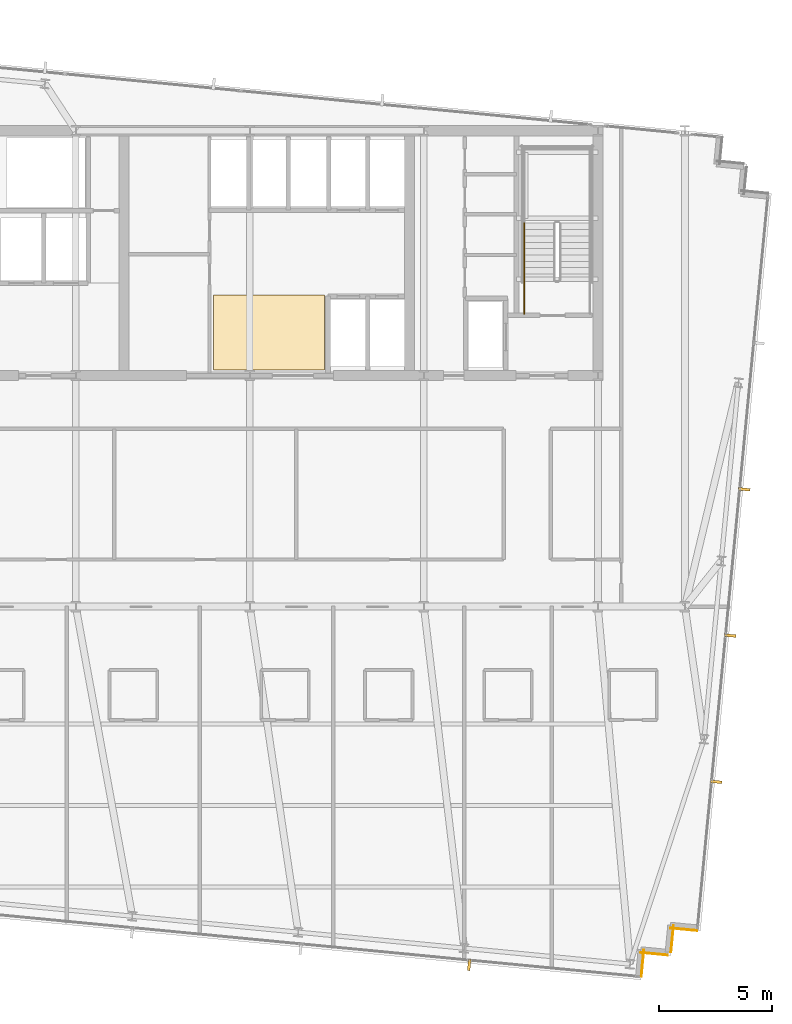
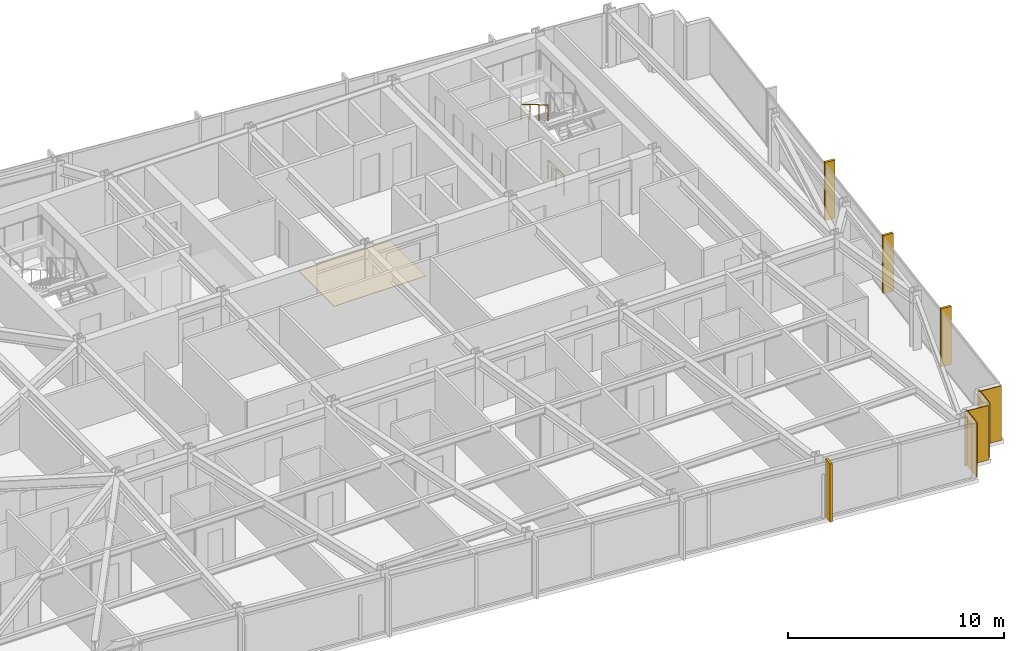
# One storey, part 35 of 38: 5 coverings, 4 shading devices, 2 railings.
"""IFC4 building model written with IfcOpenShell, lengths in metres."""

from ifc_helpers import new_model, si_unit, direction, frame, frame_2d, origin, origin_2d, place, context, subcontext, project, spatial, polyline, rectangle, circle, outline, extrude, material, layer, layer_set, type_object, element, save


model = new_model("IFC4")

# Units and contexts
model_context = context("Model", 3, precision=1e-05, world=origin(), true_north=direction((0.0, 1.0)))
body_context = subcontext(model_context, "Body", "Model", "MODEL_VIEW")
ifc_project = project(units=[si_unit("LENGTHUNIT", "METRE"), si_unit("AREAUNIT", "SQUARE_METRE"), si_unit("VOLUMEUNIT", "CUBIC_METRE"), si_unit("PLANEANGLEUNIT", "RADIAN"), si_unit("MASSUNIT", "GRAM", prefix="KILO")], contexts=[model_context])

# Site, building, storey
site_placement = place(None, origin())
site = spatial("IfcSite", under=ifc_project, at=site_placement, CompositionType="ELEMENT")
building_placement = place(site_placement, origin())
building = spatial("IfcBuilding", under=site, at=building_placement, Name="Yelkora Congress Tower", CompositionType="ELEMENT")
storey_placement = place(building_placement, frame((0.0, 0.0, 155.60009765625)))
storey = spatial("IfcBuildingStorey", under=building, at=storey_placement, Name="L42", CompositionType="ELEMENT", Elevation=155.60009765625)

# Coverings
ifc_material_1 = material(Name="Anatolian bush-hammered limestone", Category="masonry")
ifc_layer_1 = layer(ifc_material_1, 0.0400390625)
ifc_layer_set_1 = layer_set([ifc_layer_1], Name="Anatolian bush-hammered limestone")
covering_type_1 = type_object("IfcCoveringType", Name="COV-CLAD-SPANDREL-40", PredefinedType="CLADDING", material=ifc_layer_set_1)
covering_1_placement = place(storey_placement, frame((58.1474609375, 10.898681640625, 0.0), z_axis=(0.0, 0.0, 1.0), x_axis=(-0.995379537303, 0.096018626938, 0.0)))
element("IfcCovering", 1, at=covering_1_placement, inside=storey, type_object=covering_type_1, Name="L42 Anatolian Limestone Cladding EW-L42-SR16", PredefinedType="CLADDING", context=body_context, shape_type="SweptSolid", body=[
    extrude(rectangle(XDim=1.2001953125, YDim=0.0400390625, at=frame_2d((0.60009765625, 0.0))), origin(), (0.0, 0.0, 1.0), 3.079833984375),
])
covering_2_placement = place(storey_placement, frame((57.10009765625, 11.13525390625, 0.0), z_axis=(0.0, 0.0, 1.0), x_axis=(-0.095836473879, -0.995397091755, 0.0)))
element("IfcCovering", 2, at=covering_2_placement, inside=storey, type_object=covering_type_1, Name="L42 Anatolian Limestone Cladding EW-L42-SR17", PredefinedType="CLADDING", context=body_context, shape_type="SweptSolid", body=[
    extrude(rectangle(XDim=1.199951171875, YDim=0.0400390625, at=frame_2d((0.60009765625, 0.0))), origin(), (0.0, 0.0, 1.0), 3.079833984375),
])
for number, where, z_axis, x_axis, name in (
    (3, (56.837890625, 9.8193359375, 0.0), (0.0, 0.0, 1.0), (-0.995398960025, 0.095817067274, 0.0), "L42 Anatolian Limestone Cladding EW-L42-SR18"),
    (4, (55.790771484375, 10.055908203125, 0.0), (0.0, 0.0, 1.0), (-0.095817067274, -0.995398960025, 0.0), "L42 Anatolian Limestone Cladding EW-L42-SR19"),
):
    element("IfcCovering", number, at=place(storey_placement, frame(where, z_axis=z_axis, x_axis=x_axis)), inside=storey, type_object=covering_type_1, Name=name, PredefinedType="CLADDING", context=body_context, shape_type="SweptSolid", body=[
        extrude(rectangle(XDim=1.2001953125, YDim=0.0400390625, at=frame_2d((0.60009765625, 0.0))), origin(), (0.0, 0.0, 1.0), 3.079833984375),
    ])
ifc_material_2 = material(Name="Polished Anatolian grey granite tile", Category="masonry")
ifc_layer_2 = layer(ifc_material_2, 0.02001953125)
ifc_layer_set_2 = layer_set([ifc_layer_2], Name="Polished Anatolian grey granite tile")
covering_type_2 = type_object("IfcCoveringType", Name="COV-FLOOR-GRANITE-20", PredefinedType="FLOORING", material=ifc_layer_set_2)
covering_3_placement = place(storey_placement, origin())
element("IfcCovering", 5, at=covering_3_placement, inside=storey, type_object=covering_type_2, Name="L42 Lift Lobby Granite Flooring", PredefinedType="FLOORING", context=body_context, shape_type="SweptSolid", body=[
    extrude(outline(polyline([(36.800048828125, 35.64990234375), (41.699951171875, 35.64990234375), (41.699951171875, 38.949951171875), (36.800048828125, 38.949951171875), (36.800048828125, 35.64990234375)])), origin(), (0.0, 0.0, 1.0), 0.02001953125),
])

# Railings
ifc_material_3 = material(Name="Painted galvanised steel stair well guard with vertical infill", Category="steel")
ifc_layer_3 = layer(ifc_material_3, 0.06005859375)
ifc_layer_set_3 = layer_set([ifc_layer_3], Name="Painted galvanised steel stair well guard with vertical infill")
railing_type_1 = type_object("IfcRailingType", Name="RAIL-STAIR-GUARD-1120", PredefinedType="GUARDRAIL", material=ifc_layer_set_3)
railing_1_placement = place(storey_placement, frame((50.510009765625, 38.1201171875, 0.0)))
element("IfcRailing", 6, at=railing_1_placement, inside=storey, type_object=railing_type_1, Name="ST-02 L42 Stair Well Guardrail 9", PredefinedType="GUARDRAIL", context=body_context, shape_type="SweptSolid", body=[
    extrude(circle(Radius=0.02392578125, at=origin_2d()), frame((0.0, 0.0, 1.09619140625), z_axis=(0.0, 1.0, 0.0), x_axis=(-1.0, 0.0, 0.0)), (0.0, 0.0, 1.0), 1.47998046875),
    extrude(circle(Radius=0.02099609375, at=origin_2d()), origin(), (0.0, 0.0, 1.0), 1.072021484375),
    extrude(circle(Radius=0.02099609375, at=origin_2d()), frame((0.0, 0.739990234375, 0.0)), (0.0, 0.0, 1.0), 1.072021484375),
    extrude(circle(Radius=0.02099609375, at=origin_2d()), frame((0.0, 1.47998046875, 0.0)), (0.0, 0.0, 1.0), 1.072021484375),
])
ifc_material_4 = material(Name="Brushed stainless steel tubular handrail", Category="steel")
ifc_layer_4 = layer(ifc_material_4, 0.050048828125)
ifc_layer_set_4 = layer_set([ifc_layer_4], Name="Brushed stainless steel tubular handrail")
railing_type_2 = type_object("IfcRailingType", Name="RAIL-STAIR-HAND-920", PredefinedType="HANDRAIL", material=ifc_layer_set_4)
railing_2_placement = place(storey_placement, frame((50.510009765625, 42.1201171875, 1.81494140625)))
element("IfcRailing", 7, at=railing_2_placement, inside=storey, type_object=railing_type_2, Name="ST-02 L42 Pitch Handrail 2", PredefinedType="HANDRAIL", context=body_context, shape_type="SweptSolid", body=[
    extrude(circle(Radius=0.02392578125, at=origin_2d()), frame((0.0, 0.0, 0.89599609375), z_axis=(0.0, -0.861560626758, 0.507654692109), x_axis=(1.0, 0.0, 0.0)), (0.0, 0.0, 1.0), 2.925048828125),
    extrude(circle(Radius=0.02099609375, at=origin_2d()), origin(), (0.0, 0.0, 1.0), 0.871826171875),
    extrude(circle(Radius=0.02099609375, at=origin_2d()), frame((0.0, -0.840087890625, 0.494873046875)), (0.0, 0.0, 1.0), 0.871826171875),
    extrude(circle(Radius=0.02099609375, at=origin_2d()), frame((0.0, -1.679931640625, 0.989990234375)), (0.0, 0.0, 1.0), 0.871826171875),
    extrude(circle(Radius=0.02099609375, at=origin_2d()), frame((0.0, -2.52001953125, 1.48486328125)), (0.0, 0.0, 1.0), 0.871826171875),
])

# Shading devices
ifc_material_5 = material(Name="Champagne anodised aluminium", Category="aluminium")
ifc_layer_5 = layer(ifc_material_5, 3.300048828125)
ifc_layer_set_5 = layer_set([ifc_layer_5], Name="Champagne anodised aluminium")
shading_device_type = type_object("IfcShadingDeviceType", Name="SHD-FIN-ALU-520", PredefinedType="USERDEFINED", material=ifc_layer_set_5)
for number, where, z_axis, x_axis, name in (
    (8, (60.223876953125, 30.37646484375, -0.0302734375), (0.0, 0.0, 1.0), (-0.09584575252, -0.995396198367, 0.0), "L42 Vertical Anodised Solar Fin 15-2"),
    (9, (59.602294921875, 23.92236328125, -0.0302734375), (0.0, 0.0, 1.0), (-0.09584575252, -0.995396198367, 0.0), "L42 Vertical Anodised Solar Fin 15-3"),
    (10, (58.98095703125, 17.46826171875, -0.0302734375), (0.0, 0.0, 1.0), (-0.09584575252, -0.995396198367, 0.0), "L42 Vertical Anodised Solar Fin 15-4"),
    (11, (48.082275390625, 9.3916015625, -0.0302734375), (0.0, 0.0, 1.0), (-0.995396198367, 0.09584575252, 0.0), "L42 Vertical Anodised Solar Fin 20-1"),
):
    element("IfcShadingDevice", number, at=place(storey_placement, frame(where, z_axis=z_axis, x_axis=x_axis)), inside=storey, type_object=shading_device_type, Name=name, ObjectType="FIN", PredefinedType="USERDEFINED", context=body_context, shape_type="SweptSolid", body=[
        extrude(rectangle(XDim=0.1201171875, YDim=0.52001953125, at=origin_2d()), origin(), (0.0, 0.0, 1.0), 3.280029296875),
    ])

save(model, "model.ifc")
